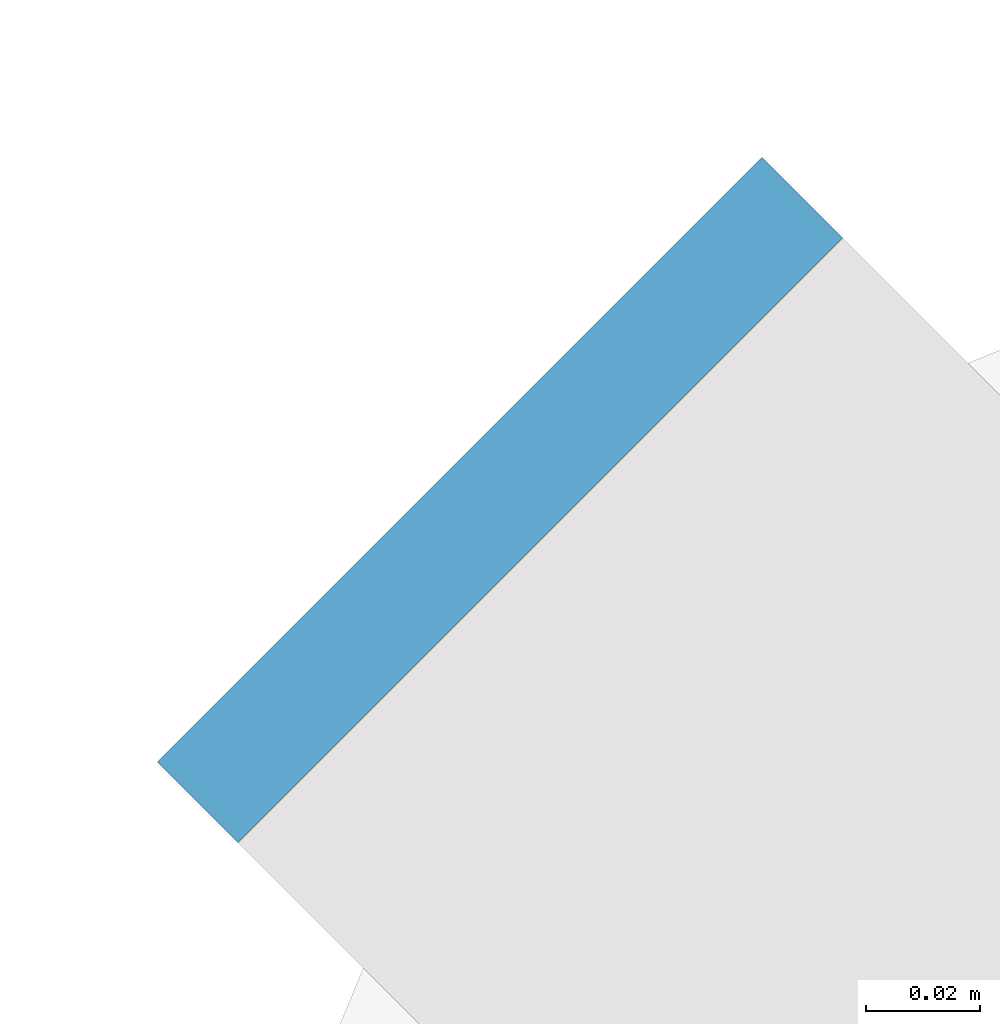
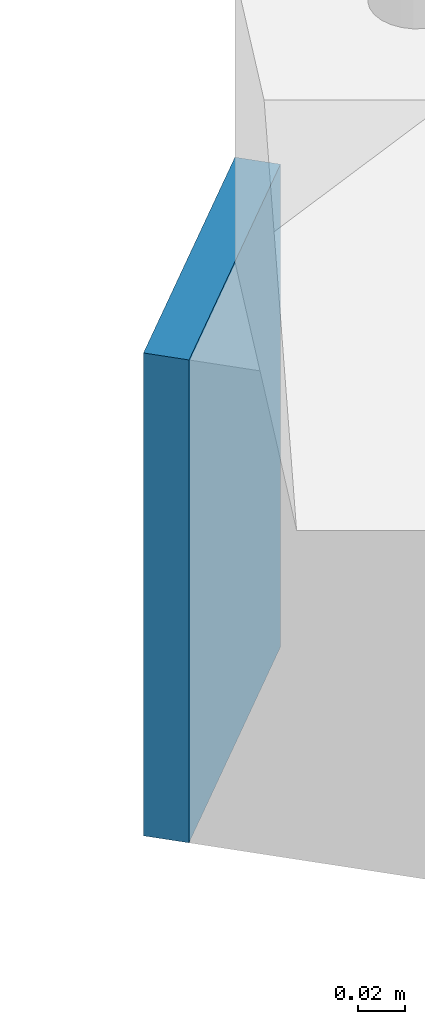
# One storey, part 19 of 28: 1 discrete accessory.
"""IFC4 building model written with IfcOpenShell, lengths in metres."""

from ifc_helpers import new_model, si_unit, direction, frame, origin, origin_2d, place, context, subcontext, project, spatial, rectangle, extrude, material, layer, layer_set, type_object, element, save


model = new_model("IFC4")

# Units and contexts
model_context = context("Model", 3, precision=1e-05, world=origin(), true_north=direction((0.0, 1.0)))
body_context = subcontext(model_context, "Body", "Model", "MODEL_VIEW")
ifc_project = project(units=[si_unit("LENGTHUNIT", "METRE"), si_unit("AREAUNIT", "SQUARE_METRE"), si_unit("VOLUMEUNIT", "CUBIC_METRE"), si_unit("PLANEANGLEUNIT", "RADIAN"), si_unit("MASSUNIT", "GRAM", prefix="KILO")], contexts=[model_context])

# Site, building, storey
site_placement = place(None, origin())
site = spatial("IfcSite", under=ifc_project, at=site_placement, CompositionType="ELEMENT")
building_placement = place(site_placement, origin())
building = spatial("IfcBuilding", under=site, at=building_placement, Name="Siwar Civic Tower", CompositionType="ELEMENT")
storey_placement = place(building_placement, frame((0.0, 0.0, 31.199951171875)))
storey = spatial("IfcBuildingStorey", under=building, at=storey_placement, Name="L06", CompositionType="ELEMENT", Elevation=31.199951171875)

# Discrete accessory
ifc_material = material(Name="Steel S355", Category="steel")
ifc_layer = layer(ifc_material, 0.02001953125)
ifc_layer_set = layer_set([ifc_layer], Name="Steel S355")
discrete_accessory_type = type_object("IfcDiscreteAccessoryType", Name="STR-END-CAP", PredefinedType="USERDEFINED", material=ifc_layer_set)
discrete_accessory_placement = place(storey_placement, frame((-30.478271484375, 30.478271484375, -0.39990234375), z_axis=(0.0, 0.0, 1.0), x_axis=(-0.707106781187, 0.707106781187, 0.0)))
element("IfcDiscreteAccessory", 1, at=discrete_accessory_placement, inside=storey, type_object=discrete_accessory_type, Name="End cap plate Balcony cantilever beam NW 2", ObjectType="END CAP PLATE", PredefinedType="USERDEFINED", context=body_context, shape_type="SweptSolid", body=[
    extrude(rectangle(XDim=0.02001953125, YDim=0.14990234375, at=origin_2d()), origin(), (0.0, 0.0, 1.0), 0.25),
])

save(model, "model.ifc")
